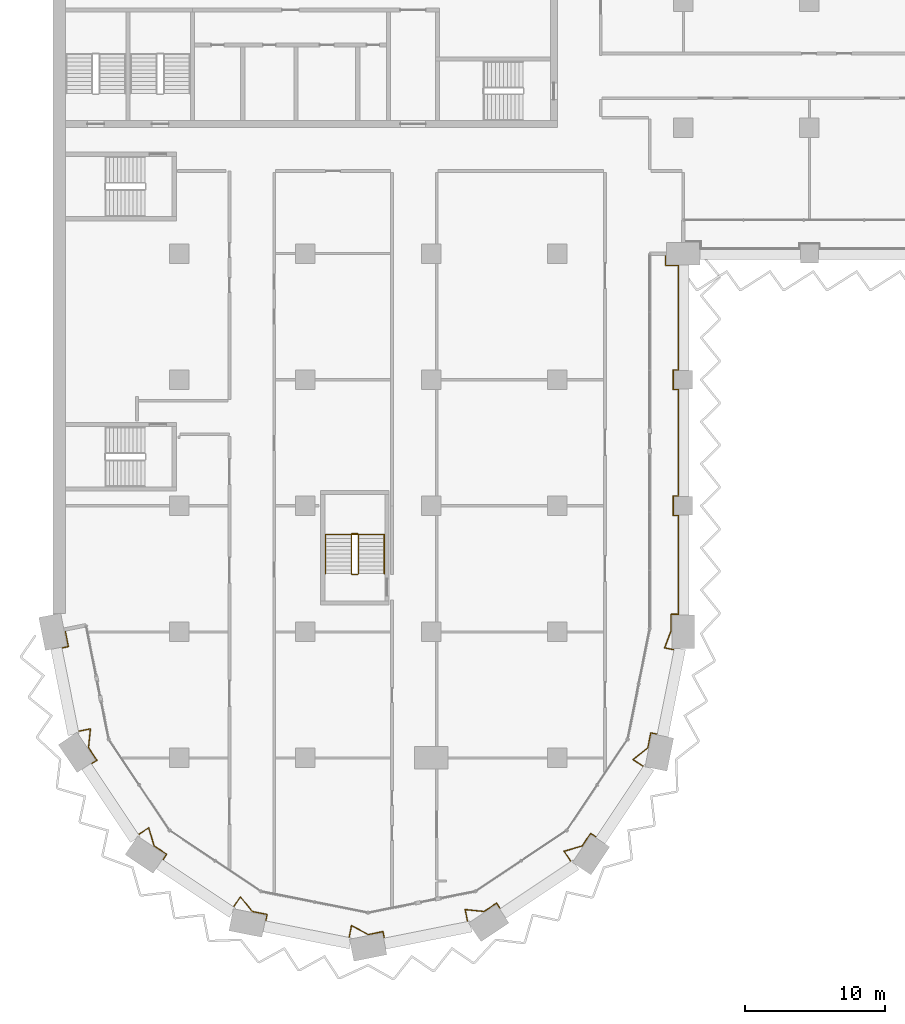
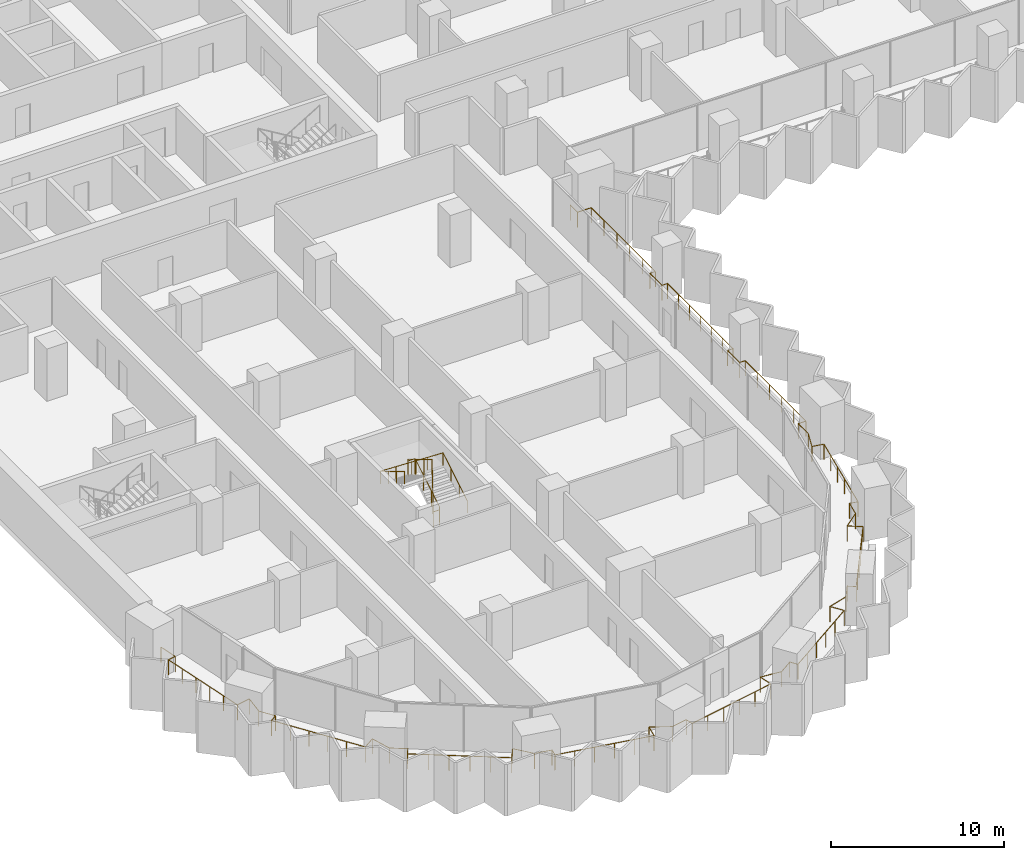
# One storey, part 24 of 28: 3 railings.
"""IFC4 building model written with IfcOpenShell, lengths in metres."""

from ifc_helpers import new_model, si_unit, direction, frame, origin, origin_2d, place, context, subcontext, project, spatial, circle, extrude, material, type_object, element, save


model = new_model("IFC4")

# Units and contexts
model_context = context("Model", 3, precision=1e-05, world=origin(), true_north=direction((0.0, 1.0)))
body_context = subcontext(model_context, "Body", "Model", "MODEL_VIEW")
ifc_project = project(units=[si_unit("LENGTHUNIT", "METRE"), si_unit("AREAUNIT", "SQUARE_METRE"), si_unit("VOLUMEUNIT", "CUBIC_METRE"), si_unit("PLANEANGLEUNIT", "RADIAN"), si_unit("MASSUNIT", "GRAM", prefix="KILO")], contexts=[model_context])

# Site, building, storey
site_placement = place(None, origin())
site = spatial("IfcSite", under=ifc_project, at=site_placement, CompositionType="ELEMENT")
building_placement = place(site_placement, origin())
building = spatial("IfcBuilding", under=site, at=building_placement, Name="Hunhe Ridgeline Campus", CompositionType="ELEMENT")
storey_placement = place(building_placement, frame((0.0, 0.0, 72.800048828125)))
storey = spatial("IfcBuildingStorey", under=building, at=storey_placement, Name="L17", CompositionType="ELEMENT", Elevation=72.800048828125)

# Railings
ifc_material_1 = material(Name="Steel Q355", Category="steel")
railing_type_1 = type_object("IfcRailingType", Name="Loggia guard 1100 Steel Q355", PredefinedType="GUARDRAIL", material=ifc_material_1)
railing_1_placement = place(storey_placement, frame((0.853271484375, 27.169677734375, 0.0)))
element("IfcRailing", 1, at=railing_1_placement, inside=storey, type_object=railing_type_1, Name="Loggia guard 1", PredefinedType="GUARDRAIL", context=body_context, shape_type="SweptSolid", body=[
    extrude(circle(Radius=0.02392578125, at=origin_2d()), frame((0.0, 0.0, 1.076171875), z_axis=(0.195139364365, -0.980775523999, 0.0), x_axis=(0.980775523999, 0.195139364365, 0.0)), (0.0, 0.0, 1.0), 1.249755859375),
    extrude(circle(Radius=0.02392578125, at=origin_2d()), frame((0.243896484375, -1.225830078125, 1.076171875), z_axis=(-0.980742851189, -0.195303506986, 0.0), x_axis=(0.195303506986, -0.980742851189, 0.0)), (0.0, 0.0, 1.0), 0.52001953125),
    extrude(circle(Radius=0.02392578125, at=origin_2d()), frame((-0.26611328125, -1.327392578125, 1.076171875), z_axis=(0.195094074844, -0.980784533912, 0.0), x_axis=(0.980784533912, 0.195094074844, 0.0)), (0.0, 0.0, 1.0), 6.064208984375),
    extrude(circle(Radius=0.02392578125, at=origin_2d()), frame((0.9169921875, -7.275146484375, 1.076171875), z_axis=(0.980774480174, 0.195144610585, 0.0), x_axis=(-0.195144610585, 0.980774480174, 0.0)), (0.0, 0.0, 1.0), 0.918212890625),
    extrude(circle(Radius=0.02392578125, at=origin_2d()), frame((1.817626953125, -7.095947265625, 1.076171875), z_axis=(-0.102578746514, -0.994724886973, 0.0), x_axis=(0.994724886973, -0.102578746514, 0.0)), (0.0, 0.0, 1.0), 1.351806640625),
    extrude(circle(Radius=0.02392578125, at=origin_2d()), frame((1.678955078125, -8.440673828125, 1.076171875), z_axis=(0.555693885997, -0.831386976724, 0.0), x_axis=(0.831386976724, 0.555693885997, 0.0)), (0.0, 0.0, 1.0), 1.076904296875),
    extrude(circle(Radius=0.02392578125, at=origin_2d()), frame((2.27734375, -9.3359375, 1.076171875), z_axis=(-0.831327417949, -0.555782982977, 0.0), x_axis=(0.555782982977, -0.831327417949, 0.0)), (0.0, 0.0, 1.0), 0.52001953125),
    extrude(circle(Radius=0.02392578125, at=origin_2d()), frame((1.844970703125, -9.625, 1.076171875), z_axis=(0.55557319973, -0.831467630002, 0.0), x_axis=(0.831467630002, 0.55557319973, 0.0)), (0.0, 0.0, 1.0), 6.064208984375),
    extrude(circle(Radius=0.02392578125, at=origin_2d()), frame((5.214111328125, -14.667236328125, 1.076171875), z_axis=(0.831395250422, 0.555681507318, 0.0), x_axis=(-0.555681507318, 0.831395250422, 0.0)), (0.0, 0.0, 1.0), 0.918212890625),
    extrude(circle(Radius=0.02392578125, at=origin_2d()), frame((5.9775390625, -14.156982421875, 1.076171875), z_axis=(0.285889499126, -0.958262591511, 0.0), x_axis=(0.958262591511, 0.285889499126, 0.0)), (0.0, 0.0, 1.0), 1.351806640625),
    extrude(circle(Radius=0.02392578125, at=origin_2d()), frame((6.364013671875, -15.452392578125, 1.076171875), z_axis=(0.831456967492, -0.555589156849, 0.0), x_axis=(0.555589156849, 0.831456967492, 0.0)), (0.0, 0.0, 1.0), 1.0771484375),
    extrude(circle(Radius=0.02392578125, at=origin_2d()), frame((7.259521484375, -16.05078125, 1.076171875), z_axis=(-0.555675381322, -0.831399344835, 0.0), x_axis=(0.831399344835, -0.555675381322, 0.0)), (0.0, 0.0, 1.0), 0.519775390625),
    extrude(circle(Radius=0.02392578125, at=origin_2d()), frame((6.970703125, -16.48291015625, 1.076171875), z_axis=(0.831467630002, -0.55557319973, 0.0), x_axis=(0.55557319973, 0.831467630002, 0.0)), (0.0, 0.0, 1.0), 6.064208984375),
    extrude(circle(Radius=0.02392578125, at=origin_2d()), frame((12.012939453125, -19.85205078125, 1.076171875), z_axis=(0.555497688072, 0.831518080709, 0.0), x_axis=(-0.831518080709, 0.555497688072, 0.0)), (0.0, 0.0, 1.0), 0.918212890625),
    extrude(circle(Radius=0.02392578125, at=origin_2d()), frame((12.52294921875, -19.088623046875, 1.076171875), z_axis=(0.630864561128, -0.775892972976, 0.0), x_axis=(0.775892972976, 0.630864561128, 0.0)), (0.0, 0.0, 1.0), 1.351806640625),
    extrude(circle(Radius=0.02392578125, at=origin_2d()), frame((13.375732421875, -20.137451171875, 1.076171875), z_axis=(0.980771998786, -0.195157081339, 0.0), x_axis=(0.195157081339, 0.980771998786, 0.0)), (0.0, 0.0, 1.0), 1.0771484375),
    extrude(circle(Radius=0.02392578125, at=origin_2d()), frame((14.43212890625, -20.34765625, 1.076171875), z_axis=(-0.195303506986, -0.980742851189, 0.0), x_axis=(0.980742851189, -0.195303506986, 0.0)), (0.0, 0.0, 1.0), 0.52001953125),
    extrude(circle(Radius=0.02392578125, at=origin_2d()), frame((14.33056640625, -20.857666015625, 1.076171875), z_axis=(0.980792236535, -0.195055347919, 0.0), x_axis=(0.195055347919, 0.980792236535, 0.0)), (0.0, 0.0, 1.0), 6.064208984375),
    extrude(circle(Radius=0.02392578125, at=origin_2d()), frame((20.2783203125, -22.04052734375, 1.076171875), z_axis=(0.195144610585, 0.980774480174, 0.0), x_axis=(-0.980774480174, 0.195144610585, 0.0)), (0.0, 0.0, 1.0), 0.918212890625),
    extrude(circle(Radius=0.02392578125, at=origin_2d()), frame((20.45751953125, -21.139892578125, 1.076171875), z_axis=(0.879704471732, -0.475520811757, 0.0), x_axis=(0.475520811757, 0.879704471732, 0.0)), (0.0, 0.0, 1.0), 1.351806640625),
    extrude(circle(Radius=0.02392578125, at=origin_2d()), frame((21.646728515625, -21.78271484375, 1.076171875), z_axis=(0.980763363144, 0.195200475189, 0.0), x_axis=(-0.195200475189, 0.980763363144, 0.0)), (0.0, 0.0, 1.0), 1.076904296875),
    extrude(circle(Radius=0.02392578125, at=origin_2d()), frame((22.702880859375, -21.572509765625, 1.076171875), z_axis=(0.195303506986, -0.980742851189, 0.0), x_axis=(0.980742851189, 0.195303506986, 0.0)), (0.0, 0.0, 1.0), 0.52001953125),
    extrude(circle(Radius=0.02392578125, at=origin_2d()), frame((22.804443359375, -22.08251953125, 1.076171875), z_axis=(0.980784533912, 0.195094074844, 0.0), x_axis=(-0.195094074844, 0.980784533912, 0.0)), (0.0, 0.0, 1.0), 6.064208984375),
    extrude(circle(Radius=0.02392578125, at=origin_2d()), frame((28.752197265625, -20.8994140625, 1.076171875), z_axis=(-0.195144610585, 0.980774480174, 0.0), x_axis=(-0.980774480174, -0.195144610585, 0.0)), (0.0, 0.0, 1.0), 0.918212890625),
    extrude(circle(Radius=0.02392578125, at=origin_2d()), frame((28.572998046875, -19.998779296875, 1.076171875), z_axis=(0.994724886973, -0.102578746514, 0.0), x_axis=(0.102578746514, 0.994724886973, 0.0)), (0.0, 0.0, 1.0), 1.351806640625),
    extrude(circle(Radius=0.02392578125, at=origin_2d()), frame((29.917724609375, -20.137451171875, 1.076171875), z_axis=(0.831386976724, 0.555693885997, 0.0), x_axis=(-0.555693885997, 0.831386976724, 0.0)), (0.0, 0.0, 1.0), 1.076904296875),
    extrude(circle(Radius=0.02392578125, at=origin_2d()), frame((30.81298828125, -19.5390625, 1.076171875), z_axis=(0.555782982977, -0.831327417949, 0.0), x_axis=(0.831327417949, 0.555782982977, 0.0)), (0.0, 0.0, 1.0), 0.52001953125),
    extrude(circle(Radius=0.02392578125, at=origin_2d()), frame((31.10205078125, -19.971435546875, 1.076171875), z_axis=(0.831467630002, 0.55557319973, 0.0), x_axis=(-0.55557319973, 0.831467630002, 0.0)), (0.0, 0.0, 1.0), 6.064208984375),
    extrude(circle(Radius=0.02392578125, at=origin_2d()), frame((36.144287109375, -16.602294921875, 1.076171875), z_axis=(-0.555681507318, 0.831395250422, 0.0), x_axis=(-0.831395250422, -0.555681507318, 0.0)), (0.0, 0.0, 1.0), 0.918212890625),
    extrude(circle(Radius=0.02392578125, at=origin_2d()), frame((35.634033203125, -15.8388671875, 1.076171875), z_axis=(0.958262591511, 0.285889499126, 0.0), x_axis=(-0.285889499126, 0.958262591511, 0.0)), (0.0, 0.0, 1.0), 1.351806640625),
    extrude(circle(Radius=0.02392578125, at=origin_2d()), frame((36.929443359375, -15.452392578125, 1.076171875), z_axis=(0.555589156849, 0.831456967492, 0.0), x_axis=(-0.831456967492, 0.555589156849, 0.0)), (0.0, 0.0, 1.0), 1.0771484375),
    extrude(circle(Radius=0.02392578125, at=origin_2d()), frame((37.52783203125, -14.556884765625, 1.076171875), z_axis=(0.831399344835, -0.555675381322, 0.0), x_axis=(0.555675381322, 0.831399344835, 0.0)), (0.0, 0.0, 1.0), 0.519775390625),
    extrude(circle(Radius=0.02392578125, at=origin_2d()), frame((37.9599609375, -14.845703125, 1.076171875), z_axis=(0.55557319973, 0.831467630002, 0.0), x_axis=(-0.831467630002, 0.55557319973, 0.0)), (0.0, 0.0, 1.0), 6.064208984375),
    extrude(circle(Radius=0.02392578125, at=origin_2d()), frame((41.3291015625, -9.803466796875, 1.076171875), z_axis=(-0.831518080709, 0.555497688072, 0.0), x_axis=(-0.555497688072, -0.831518080709, 0.0)), (0.0, 0.0, 1.0), 0.918212890625),
    extrude(circle(Radius=0.02392578125, at=origin_2d()), frame((40.565673828125, -9.29345703125, 1.076171875), z_axis=(0.775892972976, 0.630864561128, 0.0), x_axis=(-0.630864561128, 0.775892972976, 0.0)), (0.0, 0.0, 1.0), 1.351806640625),
    extrude(circle(Radius=0.02392578125, at=origin_2d()), frame((41.614501953125, -8.440673828125, 1.076171875), z_axis=(0.195157081339, 0.980771998786, 0.0), x_axis=(-0.980771998786, 0.195157081339, 0.0)), (0.0, 0.0, 1.0), 1.0771484375),
    extrude(circle(Radius=0.02392578125, at=origin_2d()), frame((41.82470703125, -7.38427734375, 1.076171875), z_axis=(0.980742851189, -0.195303506986, 0.0), x_axis=(0.195303506986, 0.980742851189, 0.0)), (0.0, 0.0, 1.0), 0.52001953125),
    extrude(circle(Radius=0.02392578125, at=origin_2d()), frame((42.334716796875, -7.48583984375, 1.076171875), z_axis=(0.19507712928, 0.980787904509, 0.0), x_axis=(-0.980787904509, 0.19507712928, 0.0)), (0.0, 0.0, 1.0), 6.146240234375),
    extrude(circle(Radius=0.02392578125, at=origin_2d()), frame((43.53369140625, -1.457763671875, 1.076171875), z_axis=(-0.980808789294, 0.194972097602, 0.0), x_axis=(-0.194972097602, -0.980808789294, 0.0)), (0.0, 0.0, 1.0), 0.73876953125),
    extrude(circle(Radius=0.02392578125, at=origin_2d()), frame((42.80908203125, -1.313720703125, 1.076171875), z_axis=(0.35537018301, 0.93472564586, 0.0), x_axis=(-0.93472564586, 0.35537018301, 0.0)), (0.0, 0.0, 1.0), 1.315673828125),
    extrude(circle(Radius=0.02392578125, at=origin_2d()), frame((43.276611328125, -0.083984375, 1.076171875), z_axis=(0.0, 1.0, 0.0), x_axis=(-1.0, 0.0, 0.0)), (0.0, 0.0, 1.0), 1.164306640625),
    extrude(circle(Radius=0.02392578125, at=origin_2d()), frame((43.276611328125, 1.080322265625, 1.076171875), z_axis=(1.0, 0.0, 0.0), x_axis=(0.0, 1.0, 0.0)), (0.0, 0.0, 1.0), 0.52001953125),
    extrude(circle(Radius=0.02392578125, at=origin_2d()), frame((43.796630859375, 1.080322265625, 1.076171875), z_axis=(0.0, 1.0, 0.0), x_axis=(-1.0, 0.0, 0.0)), (0.0, 0.0, 1.0), 7.050048828125),
    extrude(circle(Radius=0.02392578125, at=origin_2d()), frame((43.796630859375, 8.13037109375, 1.076171875), z_axis=(-1.0, 0.0, 0.0), x_axis=(0.0, -1.0, 0.0)), (0.0, 0.0, 1.0), 0.369873046875),
    extrude(circle(Radius=0.02392578125, at=origin_2d()), frame((43.4267578125, 8.13037109375, 1.076171875), z_axis=(0.0, 1.0, 0.0), x_axis=(-1.0, 0.0, 0.0)), (0.0, 0.0, 1.0), 1.39990234375),
    extrude(circle(Radius=0.02392578125, at=origin_2d()), frame((43.4267578125, 9.5302734375, 1.076171875), z_axis=(1.0, 0.0, 0.0), x_axis=(0.0, 1.0, 0.0)), (0.0, 0.0, 1.0), 0.369873046875),
    extrude(circle(Radius=0.02392578125, at=origin_2d()), frame((43.796630859375, 9.5302734375, 1.076171875), z_axis=(0.0, 1.0, 0.0), x_axis=(-1.0, 0.0, 0.0)), (0.0, 0.0, 1.0), 7.60009765625),
    extrude(circle(Radius=0.02392578125, at=origin_2d()), frame((43.796630859375, 17.13037109375, 1.076171875), z_axis=(-1.0, 0.0, 0.0), x_axis=(0.0, -1.0, 0.0)), (0.0, 0.0, 1.0), 0.369873046875),
    extrude(circle(Radius=0.02392578125, at=origin_2d()), frame((43.4267578125, 17.13037109375, 1.076171875), z_axis=(0.0, 1.0, 0.0), x_axis=(-1.0, 0.0, 0.0)), (0.0, 0.0, 1.0), 1.39990234375),
    extrude(circle(Radius=0.02392578125, at=origin_2d()), frame((43.4267578125, 18.5302734375, 1.076171875), z_axis=(1.0, 0.0, 0.0), x_axis=(0.0, 1.0, 0.0)), (0.0, 0.0, 1.0), 0.369873046875),
    extrude(circle(Radius=0.02392578125, at=origin_2d()), frame((43.796630859375, 18.5302734375, 1.076171875), z_axis=(0.0, 1.0, 0.0), x_axis=(-1.0, 0.0, 0.0)), (0.0, 0.0, 1.0), 7.449951171875),
    extrude(circle(Radius=0.02392578125, at=origin_2d()), frame((43.796630859375, 25.980224609375, 1.076171875), z_axis=(-1.0, 0.0, 0.0), x_axis=(0.0, -1.0, 0.0)), (0.0, 0.0, 1.0), 0.919921875),
    extrude(circle(Radius=0.02392578125, at=origin_2d()), frame((42.876708984375, 25.980224609375, 1.076171875), z_axis=(0.0, 1.0, 0.0), x_axis=(-1.0, 0.0, 0.0)), (0.0, 0.0, 1.0), 0.85009765625),
    extrude(circle(Radius=0.02099609375, at=origin_2d()), origin(), (0.0, 0.0, 1.0), 1.052001953125),
    extrude(circle(Radius=0.02099609375, at=origin_2d()), frame((0.243896484375, -1.225830078125, 0.0)), (0.0, 0.0, 1.0), 1.052001953125),
    extrude(circle(Radius=0.02099609375, at=origin_2d()), frame((-0.26611328125, -1.327392578125, 0.0)), (0.0, 0.0, 1.0), 1.052001953125),
    extrude(circle(Radius=0.02099609375, at=origin_2d()), frame((-0.029541015625, -2.516845703125, 0.0)), (0.0, 0.0, 1.0), 1.052001953125),
    extrude(circle(Radius=0.02099609375, at=origin_2d()), frame((0.20703125, -3.70654296875, 0.0)), (0.0, 0.0, 1.0), 1.052001953125),
    extrude(circle(Radius=0.02099609375, at=origin_2d()), frame((0.44384765625, -4.89599609375, 0.0)), (0.0, 0.0, 1.0), 1.052001953125),
    extrude(circle(Radius=0.02099609375, at=origin_2d()), frame((0.680419921875, -6.085693359375, 0.0)), (0.0, 0.0, 1.0), 1.052001953125),
    extrude(circle(Radius=0.02099609375, at=origin_2d()), frame((0.9169921875, -7.275146484375, 0.0)), (0.0, 0.0, 1.0), 1.052001953125),
    extrude(circle(Radius=0.02099609375, at=origin_2d()), frame((1.817626953125, -7.095947265625, 0.0)), (0.0, 0.0, 1.0), 1.052001953125),
    extrude(circle(Radius=0.02099609375, at=origin_2d()), frame((1.678955078125, -8.440673828125, 0.0)), (0.0, 0.0, 1.0), 1.052001953125),
    extrude(circle(Radius=0.02099609375, at=origin_2d()), frame((2.27734375, -9.3359375, 0.0)), (0.0, 0.0, 1.0), 1.052001953125),
    extrude(circle(Radius=0.02099609375, at=origin_2d()), frame((1.844970703125, -9.625, 0.0)), (0.0, 0.0, 1.0), 1.052001953125),
    extrude(circle(Radius=0.02099609375, at=origin_2d()), frame((2.518798828125, -10.633544921875, 0.0)), (0.0, 0.0, 1.0), 1.052001953125),
    extrude(circle(Radius=0.02099609375, at=origin_2d()), frame((3.192626953125, -11.641845703125, 0.0)), (0.0, 0.0, 1.0), 1.052001953125),
    extrude(circle(Radius=0.02099609375, at=origin_2d()), frame((3.866455078125, -12.650390625, 0.0)), (0.0, 0.0, 1.0), 1.052001953125),
    extrude(circle(Radius=0.02099609375, at=origin_2d()), frame((4.540283203125, -13.65869140625, 0.0)), (0.0, 0.0, 1.0), 1.052001953125),
    extrude(circle(Radius=0.02099609375, at=origin_2d()), frame((5.214111328125, -14.667236328125, 0.0)), (0.0, 0.0, 1.0), 1.052001953125),
    extrude(circle(Radius=0.02099609375, at=origin_2d()), frame((5.9775390625, -14.156982421875, 0.0)), (0.0, 0.0, 1.0), 1.052001953125),
    extrude(circle(Radius=0.02099609375, at=origin_2d()), frame((6.364013671875, -15.452392578125, 0.0)), (0.0, 0.0, 1.0), 1.052001953125),
    extrude(circle(Radius=0.02099609375, at=origin_2d()), frame((7.259521484375, -16.05078125, 0.0)), (0.0, 0.0, 1.0), 1.052001953125),
    extrude(circle(Radius=0.02099609375, at=origin_2d()), frame((6.970703125, -16.48291015625, 0.0)), (0.0, 0.0, 1.0), 1.052001953125),
    extrude(circle(Radius=0.02099609375, at=origin_2d()), frame((7.979248046875, -17.15673828125, 0.0)), (0.0, 0.0, 1.0), 1.052001953125),
    extrude(circle(Radius=0.02099609375, at=origin_2d()), frame((8.987548828125, -17.83056640625, 0.0)), (0.0, 0.0, 1.0), 1.052001953125),
    extrude(circle(Radius=0.02099609375, at=origin_2d()), frame((9.99609375, -18.50439453125, 0.0)), (0.0, 0.0, 1.0), 1.052001953125),
    extrude(circle(Radius=0.02099609375, at=origin_2d()), frame((11.00439453125, -19.17822265625, 0.0)), (0.0, 0.0, 1.0), 1.052001953125),
    extrude(circle(Radius=0.02099609375, at=origin_2d()), frame((12.012939453125, -19.85205078125, 0.0)), (0.0, 0.0, 1.0), 1.052001953125),
    extrude(circle(Radius=0.02099609375, at=origin_2d()), frame((12.52294921875, -19.088623046875, 0.0)), (0.0, 0.0, 1.0), 1.052001953125),
    extrude(circle(Radius=0.02099609375, at=origin_2d()), frame((13.375732421875, -20.137451171875, 0.0)), (0.0, 0.0, 1.0), 1.052001953125),
    extrude(circle(Radius=0.02099609375, at=origin_2d()), frame((14.43212890625, -20.34765625, 0.0)), (0.0, 0.0, 1.0), 1.052001953125),
    extrude(circle(Radius=0.02099609375, at=origin_2d()), frame((14.33056640625, -20.857666015625, 0.0)), (0.0, 0.0, 1.0), 1.052001953125),
    extrude(circle(Radius=0.02099609375, at=origin_2d()), frame((15.52001953125, -21.09423828125, 0.0)), (0.0, 0.0, 1.0), 1.052001953125),
    extrude(circle(Radius=0.02099609375, at=origin_2d()), frame((16.709716796875, -21.330810546875, 0.0)), (0.0, 0.0, 1.0), 1.052001953125),
    extrude(circle(Radius=0.02099609375, at=origin_2d()), frame((17.899169921875, -21.5673828125, 0.0)), (0.0, 0.0, 1.0), 1.052001953125),
    extrude(circle(Radius=0.02099609375, at=origin_2d()), frame((19.0888671875, -21.803955078125, 0.0)), (0.0, 0.0, 1.0), 1.052001953125),
    extrude(circle(Radius=0.02099609375, at=origin_2d()), frame((20.2783203125, -22.04052734375, 0.0)), (0.0, 0.0, 1.0), 1.052001953125),
    extrude(circle(Radius=0.02099609375, at=origin_2d()), frame((20.45751953125, -21.139892578125, 0.0)), (0.0, 0.0, 1.0), 1.052001953125),
    extrude(circle(Radius=0.02099609375, at=origin_2d()), frame((21.646728515625, -21.78271484375, 0.0)), (0.0, 0.0, 1.0), 1.052001953125),
    extrude(circle(Radius=0.02099609375, at=origin_2d()), frame((22.702880859375, -21.572509765625, 0.0)), (0.0, 0.0, 1.0), 1.052001953125),
    extrude(circle(Radius=0.02099609375, at=origin_2d()), frame((22.804443359375, -22.08251953125, 0.0)), (0.0, 0.0, 1.0), 1.052001953125),
    extrude(circle(Radius=0.02099609375, at=origin_2d()), frame((23.993896484375, -21.845947265625, 0.0)), (0.0, 0.0, 1.0), 1.052001953125),
    extrude(circle(Radius=0.02099609375, at=origin_2d()), frame((25.18359375, -21.609375, 0.0)), (0.0, 0.0, 1.0), 1.052001953125),
    extrude(circle(Radius=0.02099609375, at=origin_2d()), frame((26.373046875, -21.37255859375, 0.0)), (0.0, 0.0, 1.0), 1.052001953125),
    extrude(circle(Radius=0.02099609375, at=origin_2d()), frame((27.562744140625, -21.135986328125, 0.0)), (0.0, 0.0, 1.0), 1.052001953125),
    extrude(circle(Radius=0.02099609375, at=origin_2d()), frame((28.752197265625, -20.8994140625, 0.0)), (0.0, 0.0, 1.0), 1.052001953125),
    extrude(circle(Radius=0.02099609375, at=origin_2d()), frame((28.572998046875, -19.998779296875, 0.0)), (0.0, 0.0, 1.0), 1.052001953125),
    extrude(circle(Radius=0.02099609375, at=origin_2d()), frame((29.917724609375, -20.137451171875, 0.0)), (0.0, 0.0, 1.0), 1.052001953125),
    extrude(circle(Radius=0.02099609375, at=origin_2d()), frame((30.81298828125, -19.5390625, 0.0)), (0.0, 0.0, 1.0), 1.052001953125),
    extrude(circle(Radius=0.02099609375, at=origin_2d()), frame((31.10205078125, -19.971435546875, 0.0)), (0.0, 0.0, 1.0), 1.052001953125),
    extrude(circle(Radius=0.02099609375, at=origin_2d()), frame((32.110595703125, -19.297607421875, 0.0)), (0.0, 0.0, 1.0), 1.052001953125),
    extrude(circle(Radius=0.02099609375, at=origin_2d()), frame((33.118896484375, -18.623779296875, 0.0)), (0.0, 0.0, 1.0), 1.052001953125),
    extrude(circle(Radius=0.02099609375, at=origin_2d()), frame((34.12744140625, -17.949951171875, 0.0)), (0.0, 0.0, 1.0), 1.052001953125),
    extrude(circle(Radius=0.02099609375, at=origin_2d()), frame((35.1357421875, -17.276123046875, 0.0)), (0.0, 0.0, 1.0), 1.052001953125),
    extrude(circle(Radius=0.02099609375, at=origin_2d()), frame((36.144287109375, -16.602294921875, 0.0)), (0.0, 0.0, 1.0), 1.052001953125),
    extrude(circle(Radius=0.02099609375, at=origin_2d()), frame((35.634033203125, -15.8388671875, 0.0)), (0.0, 0.0, 1.0), 1.052001953125),
    extrude(circle(Radius=0.02099609375, at=origin_2d()), frame((36.929443359375, -15.452392578125, 0.0)), (0.0, 0.0, 1.0), 1.052001953125),
    extrude(circle(Radius=0.02099609375, at=origin_2d()), frame((37.52783203125, -14.556884765625, 0.0)), (0.0, 0.0, 1.0), 1.052001953125),
    extrude(circle(Radius=0.02099609375, at=origin_2d()), frame((37.9599609375, -14.845703125, 0.0)), (0.0, 0.0, 1.0), 1.052001953125),
    extrude(circle(Radius=0.02099609375, at=origin_2d()), frame((38.6337890625, -13.837158203125, 0.0)), (0.0, 0.0, 1.0), 1.052001953125),
    extrude(circle(Radius=0.02099609375, at=origin_2d()), frame((39.3076171875, -12.828857421875, 0.0)), (0.0, 0.0, 1.0), 1.052001953125),
    extrude(circle(Radius=0.02099609375, at=origin_2d()), frame((39.9814453125, -11.8203125, 0.0)), (0.0, 0.0, 1.0), 1.052001953125),
    extrude(circle(Radius=0.02099609375, at=origin_2d()), frame((40.6552734375, -10.81201171875, 0.0)), (0.0, 0.0, 1.0), 1.052001953125),
    extrude(circle(Radius=0.02099609375, at=origin_2d()), frame((41.3291015625, -9.803466796875, 0.0)), (0.0, 0.0, 1.0), 1.052001953125),
    extrude(circle(Radius=0.02099609375, at=origin_2d()), frame((40.565673828125, -9.29345703125, 0.0)), (0.0, 0.0, 1.0), 1.052001953125),
    extrude(circle(Radius=0.02099609375, at=origin_2d()), frame((41.614501953125, -8.440673828125, 0.0)), (0.0, 0.0, 1.0), 1.052001953125),
    extrude(circle(Radius=0.02099609375, at=origin_2d()), frame((41.82470703125, -7.38427734375, 0.0)), (0.0, 0.0, 1.0), 1.052001953125),
    extrude(circle(Radius=0.02099609375, at=origin_2d()), frame((42.334716796875, -7.48583984375, 0.0)), (0.0, 0.0, 1.0), 1.052001953125),
    extrude(circle(Radius=0.02099609375, at=origin_2d()), frame((42.574462890625, -6.2802734375, 0.0)), (0.0, 0.0, 1.0), 1.052001953125),
    extrude(circle(Radius=0.02099609375, at=origin_2d()), frame((42.814208984375, -5.07470703125, 0.0)), (0.0, 0.0, 1.0), 1.052001953125),
    extrude(circle(Radius=0.02099609375, at=origin_2d()), frame((43.05419921875, -3.868896484375, 0.0)), (0.0, 0.0, 1.0), 1.052001953125),
    extrude(circle(Radius=0.02099609375, at=origin_2d()), frame((43.2939453125, -2.663330078125, 0.0)), (0.0, 0.0, 1.0), 1.052001953125),
    extrude(circle(Radius=0.02099609375, at=origin_2d()), frame((43.53369140625, -1.457763671875, 0.0)), (0.0, 0.0, 1.0), 1.052001953125),
    extrude(circle(Radius=0.02099609375, at=origin_2d()), frame((42.80908203125, -1.313720703125, 0.0)), (0.0, 0.0, 1.0), 1.052001953125),
    extrude(circle(Radius=0.02099609375, at=origin_2d()), frame((43.276611328125, -0.083984375, 0.0)), (0.0, 0.0, 1.0), 1.052001953125),
    extrude(circle(Radius=0.02099609375, at=origin_2d()), frame((43.276611328125, 1.080322265625, 0.0)), (0.0, 0.0, 1.0), 1.052001953125),
    extrude(circle(Radius=0.02099609375, at=origin_2d()), frame((43.796630859375, 1.080322265625, 0.0)), (0.0, 0.0, 1.0), 1.052001953125),
    extrude(circle(Radius=0.02099609375, at=origin_2d()), frame((43.796630859375, 2.490234375, 0.0)), (0.0, 0.0, 1.0), 1.052001953125),
    extrude(circle(Radius=0.02099609375, at=origin_2d()), frame((43.796630859375, 3.900390625, 0.0)), (0.0, 0.0, 1.0), 1.052001953125),
    extrude(circle(Radius=0.02099609375, at=origin_2d()), frame((43.796630859375, 5.310302734375, 0.0)), (0.0, 0.0, 1.0), 1.052001953125),
    extrude(circle(Radius=0.02099609375, at=origin_2d()), frame((43.796630859375, 6.720458984375, 0.0)), (0.0, 0.0, 1.0), 1.052001953125),
    extrude(circle(Radius=0.02099609375, at=origin_2d()), frame((43.796630859375, 8.13037109375, 0.0)), (0.0, 0.0, 1.0), 1.052001953125),
    extrude(circle(Radius=0.02099609375, at=origin_2d()), frame((43.4267578125, 8.13037109375, 0.0)), (0.0, 0.0, 1.0), 1.052001953125),
    extrude(circle(Radius=0.02099609375, at=origin_2d()), frame((43.4267578125, 9.5302734375, 0.0)), (0.0, 0.0, 1.0), 1.052001953125),
    extrude(circle(Radius=0.02099609375, at=origin_2d()), frame((43.796630859375, 9.5302734375, 0.0)), (0.0, 0.0, 1.0), 1.052001953125),
    extrude(circle(Radius=0.02099609375, at=origin_2d()), frame((43.796630859375, 10.796875, 0.0)), (0.0, 0.0, 1.0), 1.052001953125),
    extrude(circle(Radius=0.02099609375, at=origin_2d()), frame((43.796630859375, 12.063720703125, 0.0)), (0.0, 0.0, 1.0), 1.052001953125),
    extrude(circle(Radius=0.02099609375, at=origin_2d()), frame((43.796630859375, 13.330322265625, 0.0)), (0.0, 0.0, 1.0), 1.052001953125),
    extrude(circle(Radius=0.02099609375, at=origin_2d()), frame((43.796630859375, 14.596923828125, 0.0)), (0.0, 0.0, 1.0), 1.052001953125),
    extrude(circle(Radius=0.02099609375, at=origin_2d()), frame((43.796630859375, 15.86376953125, 0.0)), (0.0, 0.0, 1.0), 1.052001953125),
    extrude(circle(Radius=0.02099609375, at=origin_2d()), frame((43.796630859375, 17.13037109375, 0.0)), (0.0, 0.0, 1.0), 1.052001953125),
    extrude(circle(Radius=0.02099609375, at=origin_2d()), frame((43.4267578125, 17.13037109375, 0.0)), (0.0, 0.0, 1.0), 1.052001953125),
    extrude(circle(Radius=0.02099609375, at=origin_2d()), frame((43.4267578125, 18.5302734375, 0.0)), (0.0, 0.0, 1.0), 1.052001953125),
    extrude(circle(Radius=0.02099609375, at=origin_2d()), frame((43.796630859375, 18.5302734375, 0.0)), (0.0, 0.0, 1.0), 1.052001953125),
    extrude(circle(Radius=0.02099609375, at=origin_2d()), frame((43.796630859375, 20.020263671875, 0.0)), (0.0, 0.0, 1.0), 1.052001953125),
    extrude(circle(Radius=0.02099609375, at=origin_2d()), frame((43.796630859375, 21.51025390625, 0.0)), (0.0, 0.0, 1.0), 1.052001953125),
    extrude(circle(Radius=0.02099609375, at=origin_2d()), frame((43.796630859375, 23.000244140625, 0.0)), (0.0, 0.0, 1.0), 1.052001953125),
    extrude(circle(Radius=0.02099609375, at=origin_2d()), frame((43.796630859375, 24.490234375, 0.0)), (0.0, 0.0, 1.0), 1.052001953125),
    extrude(circle(Radius=0.02099609375, at=origin_2d()), frame((43.796630859375, 25.980224609375, 0.0)), (0.0, 0.0, 1.0), 1.052001953125),
    extrude(circle(Radius=0.02099609375, at=origin_2d()), frame((42.876708984375, 25.980224609375, 0.0)), (0.0, 0.0, 1.0), 1.052001953125),
    extrude(circle(Radius=0.02099609375, at=origin_2d()), frame((42.876708984375, 26.830322265625, 0.0)), (0.0, 0.0, 1.0), 1.052001953125),
])
ifc_material_2 = material(Name="Stainless steel balustrade", Category="steel")
railing_type_2 = type_object("IfcRailingType", Name="Stair guard 1100 stainless", PredefinedType="GUARDRAIL", material=ifc_material_2)
railing_2_placement = place(storey_placement, frame((21.800048828125, 31.14990234375, 0.168212890625)))
element("IfcRailing", 2, at=railing_2_placement, inside=storey, type_object=railing_type_2, Name="L17 stair W3 guard", PredefinedType="GUARDRAIL", context=body_context, shape_type="SweptSolid", body=[
    extrude(circle(Radius=0.02392578125, at=origin_2d()), frame((0.0, 0.0, 1.076171875), z_axis=(0.0, 0.857275202839, 0.514858452973), x_axis=(-1.0, 0.0, 0.0)), (0.0, 0.0, 1.0), 3.26611328125),
    extrude(circle(Radius=0.02392578125, at=origin_2d()), frame((0.0, 2.800048828125, 2.7578125), z_axis=(-0.707106781187, 0.707106781187, 0.0), x_axis=(-0.707106781187, -0.707106781187, 0.0)), (0.0, 0.0, 1.0), 0.07080078125),
    extrude(circle(Radius=0.02392578125, at=origin_2d()), frame((-0.050048828125, 2.85009765625, 2.7578125), z_axis=(-1.0, 0.0, 0.0), x_axis=(0.0, -1.0, 0.0)), (0.0, 0.0, 1.0), 0.39990234375),
    extrude(circle(Radius=0.02392578125, at=origin_2d()), frame((-0.449951171875, 2.85009765625, 2.7578125), z_axis=(-0.274243871929, -0.274243871929, 0.92172696468), x_axis=(0.707106781187, -0.707106781187, 0.0)), (0.0, 0.0, 1.0), 0.1826171875),
    extrude(circle(Radius=0.02392578125, at=origin_2d()), frame((-0.5, 2.800048828125, 2.92578125), z_axis=(0.0, -0.857242210791, 0.514913383045), x_axis=(1.0, 0.0, 0.0)), (0.0, 0.0, 1.0), 3.266357421875),
    extrude(circle(Radius=0.02392578125, at=origin_2d()), frame((-0.5, 0.0, 4.60791015625), z_axis=(0.013524426427, -0.013458453615, -0.999817963389), x_axis=(0.705375805398, 0.708833529934, 0.0)), (0.0, 0.0, 1.0), 3.70068359375),
    extrude(circle(Radius=0.02392578125, at=origin_2d()), frame((-0.449951171875, -0.0498046875, 0.90771484375), z_axis=(1.0, 0.0, 0.0), x_axis=(0.0, 1.0, 0.0)), (0.0, 0.0, 1.0), 0.39990234375),
    extrude(circle(Radius=0.02099609375, at=origin_2d()), origin(), (0.0, 0.0, 1.0), 1.052001953125),
    extrude(circle(Radius=0.02099609375, at=origin_2d()), frame((0.0, 0.933349609375, 0.560546875)), (0.0, 0.0, 1.0), 1.052001953125),
    extrude(circle(Radius=0.02099609375, at=origin_2d()), frame((0.0, 1.86669921875, 1.12109375)), (0.0, 0.0, 1.0), 1.052001953125),
    extrude(circle(Radius=0.02099609375, at=origin_2d()), frame((0.0, 2.800048828125, 1.681640625)), (0.0, 0.0, 1.0), 1.052001953125),
    extrude(circle(Radius=0.02099609375, at=origin_2d()), frame((-0.050048828125, 2.85009765625, 1.681640625)), (0.0, 0.0, 1.0), 1.052001953125),
    extrude(circle(Radius=0.02099609375, at=origin_2d()), frame((-0.449951171875, 2.85009765625, 1.681640625)), (0.0, 0.0, 1.0), 1.052001953125),
    extrude(circle(Radius=0.02099609375, at=origin_2d()), frame((-0.5, 2.800048828125, 1.849853515625)), (0.0, 0.0, 1.0), 1.052001953125),
    extrude(circle(Radius=0.02099609375, at=origin_2d()), frame((-0.5, 1.86669921875, 2.410400390625)), (0.0, 0.0, 1.0), 1.052001953125),
    extrude(circle(Radius=0.02099609375, at=origin_2d()), frame((-0.5, 0.933349609375, 2.97119140625)), (0.0, 0.0, 1.0), 1.052001953125),
    extrude(circle(Radius=0.02099609375, at=origin_2d()), frame((-0.5, 0.0, 3.53173828125)), (0.0, 0.0, 1.0), 1.052001953125),
    extrude(circle(Radius=0.02099609375, at=origin_2d()), frame((-0.487548828125, -0.012451171875, 2.606689453125)), (0.0, 0.0, 1.0), 1.052001953125),
    extrude(circle(Radius=0.02099609375, at=origin_2d()), frame((-0.47509765625, -0.02490234375, 1.681640625)), (0.0, 0.0, 1.0), 1.052001953125),
    extrude(circle(Radius=0.02099609375, at=origin_2d()), frame((-0.46240234375, -0.037353515625, 0.7568359375)), (0.0, 0.0, 1.0), 1.052001953125),
    extrude(circle(Radius=0.02099609375, at=origin_2d()), frame((-0.449951171875, -0.0498046875, -0.168212890625)), (0.0, 0.0, 1.0), 1.052001953125),
    extrude(circle(Radius=0.02099609375, at=origin_2d()), frame((-0.050048828125, -0.0498046875, -0.168212890625)), (0.0, 0.0, 1.0), 1.052001953125),
])
ifc_material_3 = material(Name="Stainless steel handrail", Category="steel")
railing_type_3 = type_object("IfcRailingType", Name="Stair handrail 900 stainless", PredefinedType="HANDRAIL", material=ifc_material_3)
railing_3_placement = place(storey_placement, frame((23.64990234375, 31.14990234375, 0.168212890625)))
element("IfcRailing", 3, at=railing_3_placement, inside=storey, type_object=railing_type_3, Name="L17 stair W3 handrail", PredefinedType="HANDRAIL", context=body_context, shape_type="SweptSolid", body=[
    extrude(circle(Radius=0.02392578125, at=origin_2d()), frame((0.0, 0.0, 0.8759765625), z_axis=(0.0, 0.857275202839, 0.514858452973), x_axis=(-1.0, 0.0, 0.0)), (0.0, 0.0, 1.0), 3.26611328125),
    extrude(circle(Radius=0.02392578125, at=origin_2d()), frame((0.0, 2.800048828125, 2.5576171875), z_axis=(-0.999198916169, 0.0, 0.040019069537), x_axis=(0.0, -1.0, 0.0)), (0.0, 0.0, 1.0), 4.203369140625),
    extrude(circle(Radius=0.02392578125, at=origin_2d()), frame((-4.199951171875, 2.800048828125, 2.7255859375), z_axis=(0.0, -0.857242210791, 0.514913383045), x_axis=(1.0, 0.0, 0.0)), (0.0, 0.0, 1.0), 3.266357421875),
    extrude(circle(Radius=0.02099609375, at=origin_2d()), origin(), (0.0, 0.0, 1.0), 0.851806640625),
    extrude(circle(Radius=0.02099609375, at=origin_2d()), frame((0.0, 0.933349609375, 0.560546875)), (0.0, 0.0, 1.0), 0.851806640625),
    extrude(circle(Radius=0.02099609375, at=origin_2d()), frame((0.0, 1.86669921875, 1.12109375)), (0.0, 0.0, 1.0), 0.851806640625),
    extrude(circle(Radius=0.02099609375, at=origin_2d()), frame((0.0, 2.800048828125, 1.681640625)), (0.0, 0.0, 1.0), 0.851806640625),
    extrude(circle(Radius=0.02099609375, at=origin_2d()), frame((-1.050048828125, 2.800048828125, 1.7236328125)), (0.0, 0.0, 1.0), 0.851806640625),
    extrude(circle(Radius=0.02099609375, at=origin_2d()), frame((-2.10009765625, 2.800048828125, 1.765625)), (0.0, 0.0, 1.0), 0.851806640625),
    extrude(circle(Radius=0.02099609375, at=origin_2d()), frame((-3.14990234375, 2.800048828125, 1.807861328125)), (0.0, 0.0, 1.0), 0.851806640625),
    extrude(circle(Radius=0.02099609375, at=origin_2d()), frame((-4.199951171875, 2.800048828125, 1.849853515625)), (0.0, 0.0, 1.0), 0.851806640625),
    extrude(circle(Radius=0.02099609375, at=origin_2d()), frame((-4.199951171875, 1.86669921875, 2.410400390625)), (0.0, 0.0, 1.0), 0.851806640625),
    extrude(circle(Radius=0.02099609375, at=origin_2d()), frame((-4.199951171875, 0.933349609375, 2.97119140625)), (0.0, 0.0, 1.0), 0.851806640625),
    extrude(circle(Radius=0.02099609375, at=origin_2d()), frame((-4.199951171875, 0.0, 3.53173828125)), (0.0, 0.0, 1.0), 0.851806640625),
])

save(model, "model.ifc")
